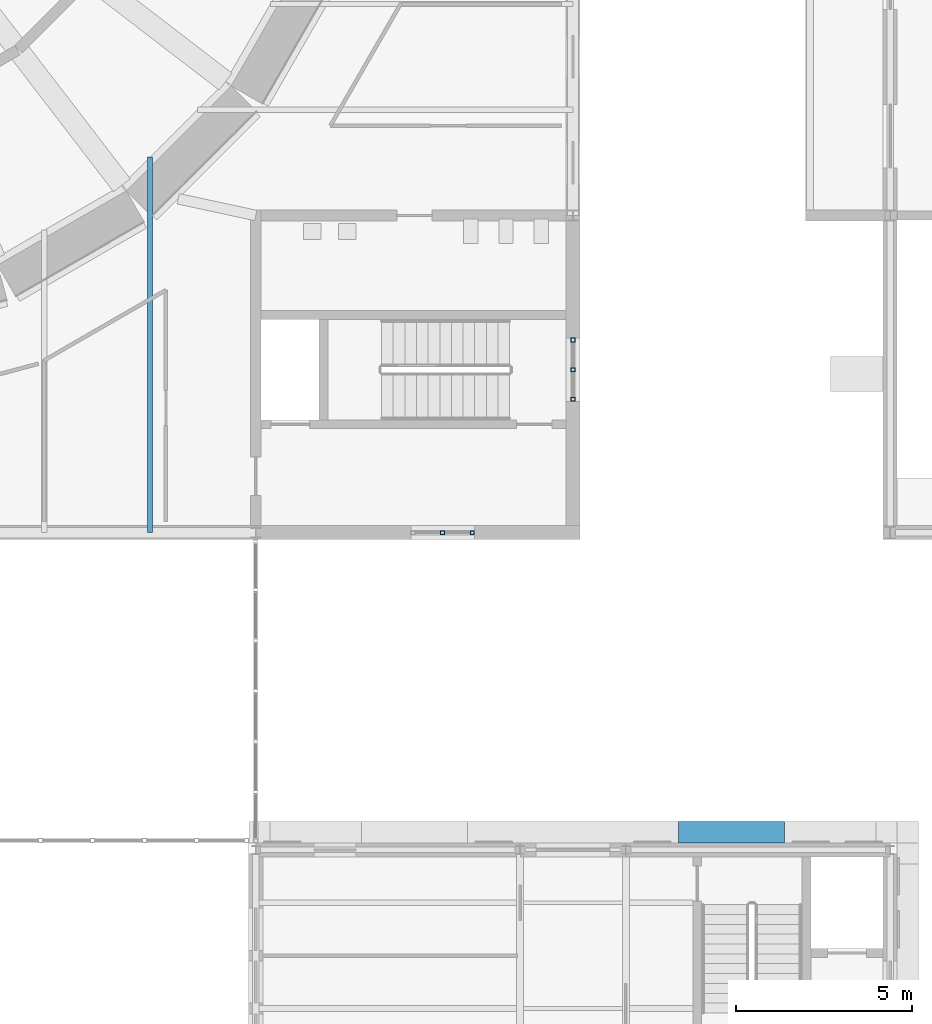
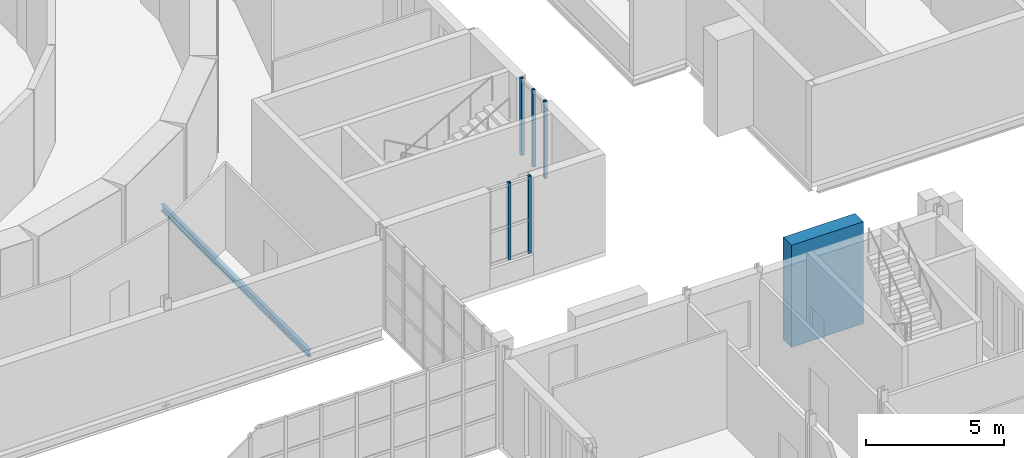
# One storey, part 51 of 131: 6 members, 1 beam, 2 elements without a shape of their own.
"""IFC4 building model written with IfcOpenShell, lengths in metres."""

from ifc_helpers import new_model, si_unit, direction, frame, origin, origin_2d, place, context, subcontext, project, spatial, rectangle, hollow_rectangle, i_section, extrude, material, material_profile, profile_set, type_object, element, aggregate, save


model = new_model("IFC4")

# Units and contexts
model_context = context("Model", 3, precision=1e-05, world=origin(), true_north=direction((0.0, 1.0)))
body_context = subcontext(model_context, "Body", "Model", "MODEL_VIEW")
ifc_project = project(units=[si_unit("LENGTHUNIT", "METRE"), si_unit("AREAUNIT", "SQUARE_METRE"), si_unit("VOLUMEUNIT", "CUBIC_METRE"), si_unit("PLANEANGLEUNIT", "RADIAN"), si_unit("MASSUNIT", "GRAM", prefix="KILO")], contexts=[model_context])

# Site, building, storey
site_placement = place(None, origin())
site = spatial("IfcSite", under=ifc_project, at=site_placement, CompositionType="ELEMENT")
building_placement = place(site_placement, origin())
building = spatial("IfcBuilding", under=site, at=building_placement, Name="Golden Quay Civic Hall", CompositionType="ELEMENT")
storey_placement = place(building_placement, frame((0.0, 0.0, 9.89990234375)))
storey = spatial("IfcBuildingStorey", under=building, at=storey_placement, Name="L02", CompositionType="ELEMENT", Elevation=9.89990234375)

# Curtain wall, members
ifc_material_1 = material(Name="Fire-resisting glass and steel", Category="steel")
curtain_wall_type = type_object("IfcCurtainWallType", Name="Fire-resisting glazed stair curtain wall EI 120", PredefinedType="NOTDEFINED", material=ifc_material_1)
curtain_wall_1_placement = place(storey_placement, origin())
curtain_wall_1 = element("IfcCurtainWall", 1, at=curtain_wall_1_placement, inside=storey, type_object=curtain_wall_type, Name="CW4 stair curtain wall", PredefinedType="NOTDEFINED")
ifc_material_2 = material(Name="Steel S355", Category="steel")
ifc_material_profile_1 = material_profile(ifc_material_2, hollow_rectangle(XDim=0.1201171875, YDim=0.1201171875, WallThickness=0.012451171875, at=origin_2d()), Name="SHS 120x120x12.5")
ifc_profile_set_1 = profile_set([ifc_material_profile_1], Name="Steel S355")
member_type_1 = type_object("IfcMemberType", Name="Fire-resisting steel stair mullion 120 x 120", PredefinedType="MULLION", material=ifc_profile_set_1)
member_1_placement = place(storey_placement, frame((104.300048828125, 63.0, 0.900146484375), z_axis=(0.0, 0.0, 1.0), x_axis=(0.0, 1.0, 0.0)))
member_1 = element("IfcMember", 2, at=member_1_placement, type_object=member_type_1, Name="CW4 mullion 2", PredefinedType="MULLION", context=body_context, shape_type="SweptSolid", body=[
    extrude(hollow_rectangle(XDim=0.1201171875, YDim=0.1201171875, WallThickness=0.012451171875, at=origin_2d()), origin(), (0.0, 0.0, 1.0), 3.39990234375),
])
member_2_placement = place(storey_placement, frame((105.139892578125, 63.0, 0.900146484375), z_axis=(0.0, 0.0, 1.0), x_axis=(0.0, 1.0, 0.0)))
member_2 = element("IfcMember", 3, at=member_2_placement, type_object=member_type_1, Name="CW4 mullion 3", PredefinedType="MULLION", context=body_context, shape_type="SweptSolid", body=[
    extrude(hollow_rectangle(XDim=0.1201171875, YDim=0.1201171875, WallThickness=0.012451171875, at=origin_2d()), origin(), (0.0, 0.0, 1.0), 3.39990234375),
])
aggregate(curtain_wall_1, [member_1, member_2])

curtain_wall_2_placement = place(storey_placement, origin())
curtain_wall_2 = element("IfcCurtainWall", 4, at=curtain_wall_2_placement, inside=storey, type_object=curtain_wall_type, Name="CW4 stair curtain wall", PredefinedType="NOTDEFINED")
member_3_placement = place(storey_placement, frame((108.0, 66.784912109375, 0.900146484375), z_axis=(0.0, 0.0, 1.0), x_axis=(-1.0, 0.0, 0.0)))
member_3 = element("IfcMember", 5, at=member_3_placement, type_object=member_type_1, Name="CW4 mullion 1", PredefinedType="MULLION", context=body_context, shape_type="SweptSolid", body=[
    extrude(hollow_rectangle(XDim=0.1201171875, YDim=0.1201171875, WallThickness=0.012451171875, at=origin_2d()), origin(), (0.0, 0.0, 1.0), 3.39990234375),
])
member_4_placement = place(storey_placement, frame((108.0, 67.625, 0.900146484375), z_axis=(0.0, 0.0, 1.0), x_axis=(-1.0, 0.0, 0.0)))
member_4 = element("IfcMember", 6, at=member_4_placement, type_object=member_type_1, Name="CW4 mullion 2", PredefinedType="MULLION", context=body_context, shape_type="SweptSolid", body=[
    extrude(hollow_rectangle(XDim=0.1201171875, YDim=0.1201171875, WallThickness=0.012451171875, at=origin_2d()), origin(), (0.0, 0.0, 1.0), 3.39990234375),
])
member_5_placement = place(storey_placement, frame((108.0, 68.465087890625, 0.900146484375), z_axis=(0.0, 0.0, 1.0), x_axis=(-1.0, 0.0, 0.0)))
member_5 = element("IfcMember", 7, at=member_5_placement, type_object=member_type_1, Name="CW4 mullion 3", PredefinedType="MULLION", context=body_context, shape_type="SweptSolid", body=[
    extrude(hollow_rectangle(XDim=0.1201171875, YDim=0.1201171875, WallThickness=0.012451171875, at=origin_2d()), origin(), (0.0, 0.0, 1.0), 3.39990234375),
])
aggregate(curtain_wall_2, [member_3, member_4, member_5])

# Member
ifc_material_3 = material(Name="Concrete C40/50", Category="concrete")
ifc_material_profile_2 = material_profile(ifc_material_3, rectangle(XDim=3.0, YDim=0.60009765625, at=origin_2d()), Name="RC 3000x600")
ifc_profile_set_2 = profile_set([ifc_material_profile_2], Name="Concrete C40/50")
member_type_2 = type_object("IfcMemberType", Name="Precast concrete facade pier 3000 x 600", PredefinedType="POST", material=ifc_profile_set_2)
member_6_placement = place(storey_placement, frame((112.5, 54.5, 0.0), z_axis=(0.0, 0.0, 1.0), x_axis=(1.0, 0.0, 0.0)))
element("IfcMember", 8, at=member_6_placement, inside=storey, type_object=member_type_2, Name="Precast concrete facade pier 3000 x 600 L02 28", PredefinedType="POST", context=body_context, shape_type="SweptSolid", body=[
    extrude(rectangle(XDim=3.0, YDim=0.60009765625, at=origin_2d()), origin(), (0.0, 0.0, 1.0), 4.5),
])

# Beam
ifc_material_4 = material(Name="Steel S355", Category="steel")
ifc_material_profile_3 = material_profile(ifc_material_4, i_section(OverallWidth=0.14990234375, OverallDepth=0.300048828125, WebThickness=0.007080078125, FlangeThickness=0.0107421875, FilletRadius=0.014892578125, at=origin_2d()), Name="IPE 300")
ifc_profile_set_3 = profile_set([ifc_material_profile_3], Name="Steel S355")
beam_type = type_object("IfcBeamType", Name="Steel joist IPE 300", PredefinedType="JOIST", material=ifc_profile_set_3)
beam_placement = place(storey_placement, frame((96.0, 63.0, -0.349853515625), z_axis=(0.0, 1.0, 0.0), x_axis=(-1.0, 0.0, 0.0)))
element("IfcBeam", 9, at=beam_placement, inside=storey, type_object=beam_type, Name="Floor joist 6", PredefinedType="JOIST", context=body_context, shape_type="SweptSolid", body=[
    extrude(i_section(OverallWidth=0.14990234375, OverallDepth=0.300048828125, WebThickness=0.007080078125, FlangeThickness=0.0107421875, FilletRadius=0.014892578125, at=origin_2d()), origin(), (0.0, 0.0, 1.0), 10.655517578125),
])

save(model, "model.ifc")
